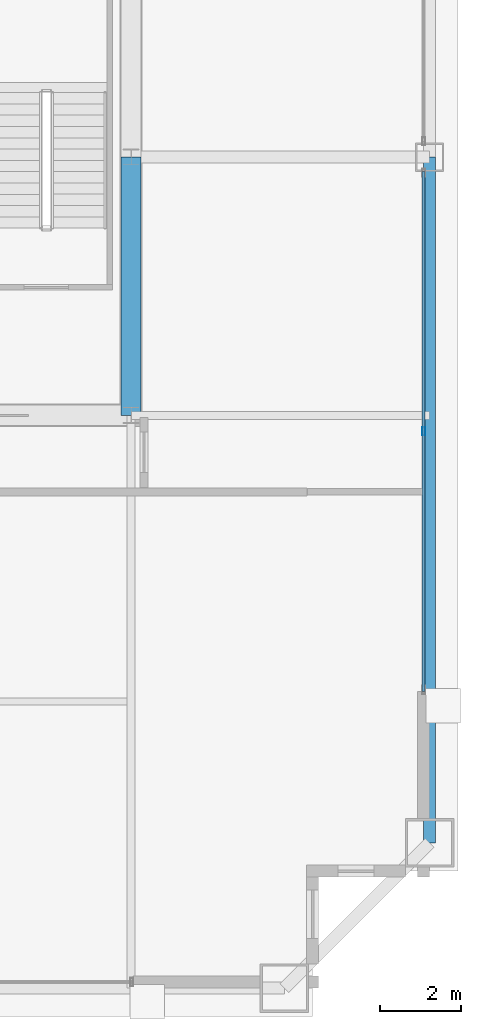
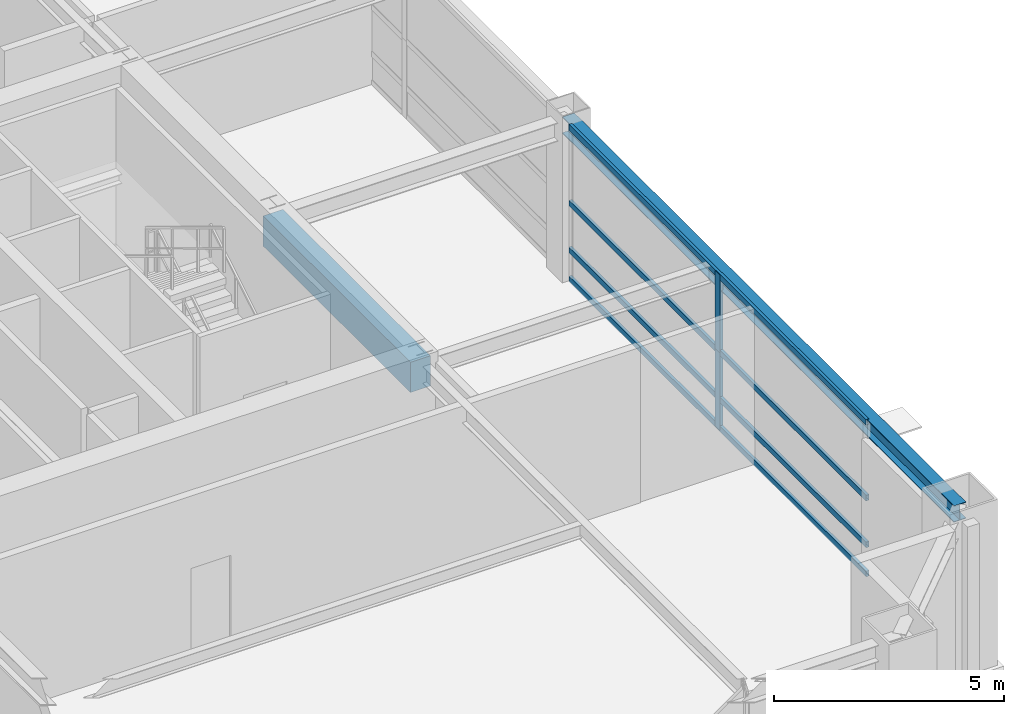
# One storey, part 13 of 26: 6 members, 2 beams, 1 element without a shape of its own.
"""IFC4 building model written with IfcOpenShell, lengths in metres."""

from ifc_helpers import new_model, si_unit, direction, frame, origin, origin_2d, place, context, subcontext, project, spatial, rectangle, hollow_rectangle, i_section, extrude, source, transform, mapped, material, layer, layer_set, material_profile, profile_set, type_object, element, aggregate, save


model = new_model("IFC4")

# Units and contexts
model_context = context("Model", 3, precision=1e-05, world=origin(), true_north=direction((0.0, 1.0)))
body_context = subcontext(model_context, "Body", "Model", "MODEL_VIEW")
ifc_project = project(units=[si_unit("LENGTHUNIT", "METRE"), si_unit("AREAUNIT", "SQUARE_METRE"), si_unit("VOLUMEUNIT", "CUBIC_METRE"), si_unit("PLANEANGLEUNIT", "RADIAN"), si_unit("MASSUNIT", "GRAM", prefix="KILO"), si_unit("THERMODYNAMICTEMPERATUREUNIT", "KELVIN"), si_unit("POWERUNIT", "WATT")], contexts=[model_context])

# Site, building, storey
site_placement = place(None, origin())
site = spatial("IfcSite", under=ifc_project, at=site_placement, CompositionType="ELEMENT")
building_placement = place(site_placement, origin())
building = spatial("IfcBuilding", under=site, at=building_placement, Name="Yuzanri Waterfront Tower", CompositionType="ELEMENT")
storey_placement = place(building_placement, frame((0.0, 0.0, 259.10009765625)))
storey = spatial("IfcBuildingStorey", under=building, at=storey_placement, Name="L69", CompositionType="ELEMENT", Elevation=259.10009765625)

# Beams
ifc_material_1 = material(Name="Concrete C50", Category="concrete")
ifc_material_profile_1 = material_profile(ifc_material_1, rectangle(XDim=0.5, YDim=0.800048828125, at=origin_2d()), Name="RC 500x800")
ifc_profile_set_1 = profile_set([ifc_material_profile_1], Name="Concrete C50")
beam_type_1 = type_object("IfcBeamType", Name="Core Coupling Lintel Concrete C50 500x800", PredefinedType="LINTEL", material=ifc_profile_set_1)
shared_shape_1 = source(origin(), body_context, "Body", "SweptSolid", [
    extrude(rectangle(XDim=0.5, YDim=0.800048828125, at=origin_2d()), origin(), (0.0, 0.0, 1.0), 6.400146484375),
])
beam_1_placement = place(storey_placement, frame((50.199951171875, 19.39990234375, 3.719970703125), z_axis=(0.0, 1.0, 0.0), x_axis=(-1.0, 0.0, 0.0)))
element("IfcBeam", 1, at=beam_1_placement, inside=storey, type_object=beam_type_1, Name="L69 Core Tie Beam CE1", PredefinedType="LINTEL", context=body_context, shape_type="MappedRepresentation", body=[
    mapped(shared_shape_1, transform((0.0, 0.0, 0.0), scale=1.0)),
])
ifc_material_2 = material(Name="Steel Q355B", Category="steel")
ifc_material_profile_2 = material_profile(ifc_material_2, i_section(OverallWidth=0.300048828125, OverallDepth=0.43994140625, WebThickness=0.010986328125, FlangeThickness=0.01806640625, at=origin_2d()), Name="HM 440x300x11x18")
ifc_profile_set_2 = profile_set([ifc_material_profile_2], Name="Steel Q355B")
beam_type_2 = type_object("IfcBeamType", Name="Perimeter Spandrel Q355B HM 440x300", PredefinedType="SPANDREL", material=ifc_profile_set_2)
shared_shape_2 = source(origin(), body_context, "Body", "SweptSolid", [
    extrude(i_section(OverallWidth=0.300048828125, OverallDepth=0.43994140625, WebThickness=0.010986328125, FlangeThickness=0.01806640625, at=origin_2d()), origin(), (0.0, 0.0, 1.0), 17.0),
])
beam_2_placement = place(storey_placement, frame((57.60009765625, 8.800048828125, 3.89990234375), z_axis=(0.0, 1.0, 0.0), x_axis=(-1.0, 0.0, 0.0)))
element("IfcBeam", 2, at=beam_2_placement, inside=storey, type_object=beam_type_2, Name="L69 Perimeter Spandrel E1-E2", PredefinedType="SPANDREL", context=body_context, shape_type="MappedRepresentation", body=[
    mapped(shared_shape_2, transform((0.0, 0.0, 0.0), scale=1.0)),
])

# Curtain wall, members
ifc_material_3 = material(Name="Anodized Architectural Bronze", Category="metal")
ifc_layer = layer(ifc_material_3, 0.159912109375)
ifc_layer_set = layer_set([ifc_layer], Name="Anodized Architectural Bronze")
curtain_wall_type = type_object("IfcCurtainWallType", Name="Anodized Bronze Sky-Lobby Triple-Glazed Feature Curtain Wall 7500", PredefinedType="NOTDEFINED", material=ifc_layer_set)
curtain_wall_placement = place(storey_placement, origin())
curtain_wall = element("IfcCurtainWall", 3, at=curtain_wall_placement, inside=storey, type_object=curtain_wall_type, Name="L69 Curtain Wall CW-L69-EL", PredefinedType="NOTDEFINED")
ifc_material_4 = material(Name="Anodized Architectural Bronze", Category="metal")
ifc_material_profile_3 = material_profile(ifc_material_4, hollow_rectangle(XDim=0.074951171875, YDim=0.199951171875, WallThickness=0.00390625, at=origin_2d()), Name="CWM 75x200")
ifc_profile_set_3 = profile_set([ifc_material_profile_3], Name="Anodized Architectural Bronze")
member_type_1 = type_object("IfcMemberType", Name="Anodized Bronze Primary Curtain-Wall Mullion 75x200", PredefinedType="MULLION", material=ifc_profile_set_3)
shared_shape_3 = source(origin(), body_context, "Body", "SweptSolid", [
    extrude(hollow_rectangle(XDim=0.074951171875, YDim=0.199951171875, WallThickness=0.00390625, at=origin_2d()), origin(), (0.0, 0.0, 1.0), 2.057861328125),
])
member_1_placement = place(storey_placement, frame((57.449951171875, 19.0, 0.0), z_axis=(0.0, 0.0, 1.0), x_axis=(1.0, 0.0, 0.0)))
member_1 = element("IfcMember", 4, at=member_1_placement, type_object=member_type_1, Name="CW-L69-EL Lower Mullion 01", PredefinedType="MULLION", context=body_context, shape_type="MappedRepresentation", body=[
    mapped(shared_shape_3, transform((0.0, 0.0, 0.0), scale=1.0)),
])
member_2_placement = place(storey_placement, frame((57.449951171875, 19.0, 2.06201171875), z_axis=(0.0, 0.0, 1.0), x_axis=(1.0, 0.0, 0.0)))
member_2 = element("IfcMember", 5, at=member_2_placement, type_object=member_type_1, Name="CW-L69-EL Upper Mullion 01", PredefinedType="MULLION", context=body_context, shape_type="MappedRepresentation", body=[
    mapped(shared_shape_3, transform((0.0, 0.0, 0.0), scale=1.0)),
])
ifc_material_5 = material(Name="Anodized Architectural Bronze", Category="metal")
ifc_material_profile_4 = material_profile(ifc_material_5, hollow_rectangle(XDim=0.074951171875, YDim=0.14990234375, WallThickness=0.00390625, at=origin_2d()), Name="CWT 75x150")
ifc_profile_set_4 = profile_set([ifc_material_profile_4], Name="Anodized Architectural Bronze")
member_type_2 = type_object("IfcMemberType", Name="Anodized Bronze Primary Curtain-Wall Transom 75x150", PredefinedType="USERDEFINED", material=ifc_profile_set_4)
shared_shape_4 = source(origin(), body_context, "Body", "SweptSolid", [
    extrude(hollow_rectangle(XDim=0.074951171875, YDim=0.14990234375, WallThickness=0.00390625, at=origin_2d()), origin(), (0.0, 0.0, 1.0), 12.89990234375),
])
member_3_placement = place(storey_placement, frame((57.449951171875, 12.550048828125, 0.0498046875), z_axis=(0.0, 1.0, 0.0), x_axis=(-1.0, 0.0, 0.0)))
member_3 = element("IfcMember", 6, at=member_3_placement, type_object=member_type_2, Name="CW-L69-EL Transom 1", ObjectType="TRANSOM", PredefinedType="USERDEFINED", context=body_context, shape_type="MappedRepresentation", body=[
    mapped(shared_shape_4, transform((0.0, 0.0, 0.0), scale=1.0)),
])
member_4_placement = place(storey_placement, frame((57.449951171875, 12.550048828125, 0.81982421875), z_axis=(0.0, 1.0, 0.0), x_axis=(-1.0, 0.0, 0.0)))
member_4 = element("IfcMember", 7, at=member_4_placement, type_object=member_type_2, Name="CW-L69-EL Transom 2", ObjectType="TRANSOM", PredefinedType="USERDEFINED", context=body_context, shape_type="MappedRepresentation", body=[
    mapped(shared_shape_4, transform((0.0, 0.0, 0.0), scale=1.0)),
])
member_5_placement = place(storey_placement, frame((57.449951171875, 12.550048828125, 2.059814453125), z_axis=(0.0, 1.0, 0.0), x_axis=(-1.0, 0.0, 0.0)))
member_5 = element("IfcMember", 8, at=member_5_placement, type_object=member_type_2, Name="CW-L69-EL Transom 3", ObjectType="TRANSOM", PredefinedType="USERDEFINED", context=body_context, shape_type="MappedRepresentation", body=[
    mapped(shared_shape_4, transform((0.0, 0.0, 0.0), scale=1.0)),
])
member_6_placement = place(storey_placement, frame((57.449951171875, 12.550048828125, 4.06982421875), z_axis=(0.0, 1.0, 0.0), x_axis=(-1.0, 0.0, 0.0)))
member_6 = element("IfcMember", 9, at=member_6_placement, type_object=member_type_2, Name="CW-L69-EL Transom 4", ObjectType="TRANSOM", PredefinedType="USERDEFINED", context=body_context, shape_type="MappedRepresentation", body=[
    mapped(shared_shape_4, transform((0.0, 0.0, 0.0), scale=1.0)),
])
aggregate(curtain_wall, [member_1, member_2, member_3, member_4, member_5, member_6])

save(model, "model.ifc")
